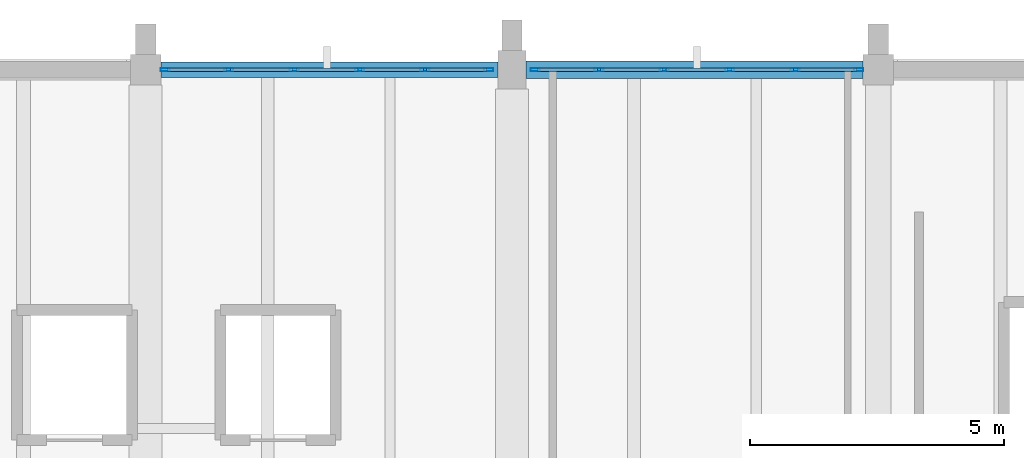
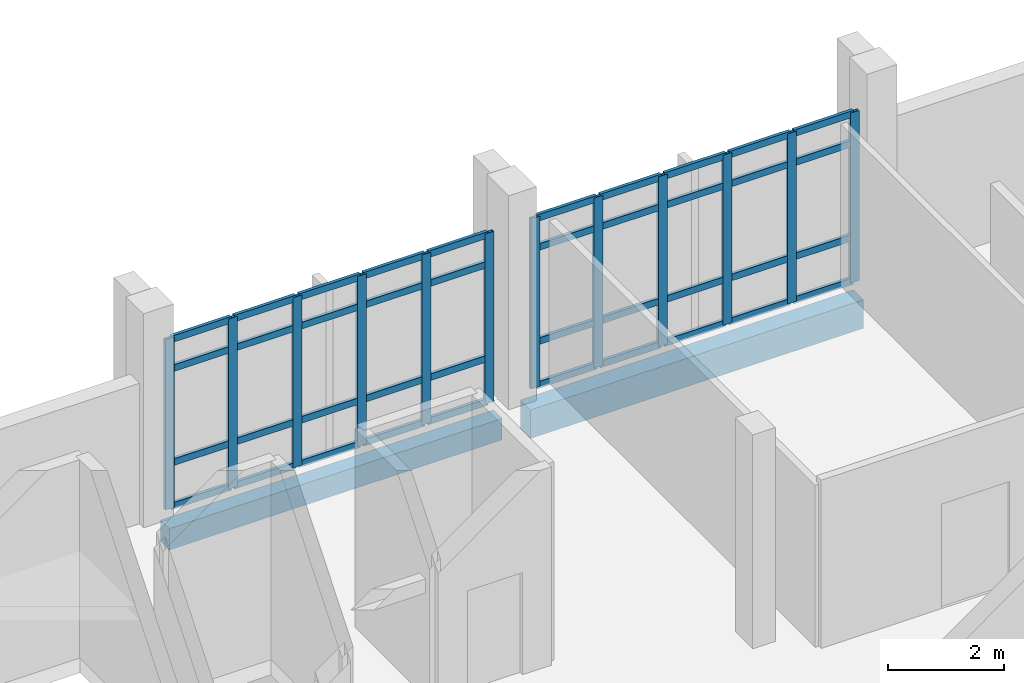
# One storey, part 16 of 41: 52 members, 2 beams, 2 elements without a shape of their own.
"""IFC4 building model written with IfcOpenShell, lengths in metres."""

from ifc_helpers import new_model, si_unit, direction, frame, origin, origin_2d, place, context, subcontext, project, spatial, rectangle, hollow_rectangle, extrude, material, material_profile, profile_set, type_object, element, aggregate, save


model = new_model("IFC4")

# Units and contexts
model_context = context("Model", 3, precision=1e-05, world=origin(), true_north=direction((0.0, 1.0)))
body_context = subcontext(model_context, "Body", "Model", "MODEL_VIEW")
ifc_project = project(units=[si_unit("LENGTHUNIT", "METRE"), si_unit("AREAUNIT", "SQUARE_METRE"), si_unit("VOLUMEUNIT", "CUBIC_METRE"), si_unit("PLANEANGLEUNIT", "RADIAN"), si_unit("MASSUNIT", "GRAM", prefix="KILO")], contexts=[model_context])

# Site, building, storey
site_placement = place(None, origin())
site = spatial("IfcSite", under=ifc_project, at=site_placement, CompositionType="ELEMENT")
building_placement = place(site_placement, origin())
building = spatial("IfcBuilding", under=site, at=building_placement, Name="Kalluvel Institute of Natural Sciences", CompositionType="ELEMENT")
storey_placement = place(building_placement, frame((0.0, 0.0, 32.39990234375)))
storey = spatial("IfcBuildingStorey", under=building, at=storey_placement, Name="L07", CompositionType="ELEMENT", Elevation=32.39990234375)

# Curtain wall, members
ifc_material_1 = material(Name="Aluminium AW-6063 T6", Category="aluminium")
curtain_wall_type = type_object("IfcCurtainWallType", Name="CW-WET-45", PredefinedType="USERDEFINED", material=ifc_material_1)
curtain_wall_1_placement = place(storey_placement, origin())
curtain_wall_1 = element("IfcCurtainWall", 1, at=curtain_wall_1_placement, inside=storey, type_object=curtain_wall_type, Name="L07 Gothic lancet curtain wall CWA-L07-X432-Y1280", ObjectType="UNITISED LANCET FACADE", PredefinedType="USERDEFINED")
ifc_material_profile_1 = material_profile(ifc_material_1, hollow_rectangle(XDim=0.06494140625, YDim=0.179931640625, WallThickness=0.00439453125, at=origin_2d()), Name="CWM 65x180")
ifc_profile_set_1 = profile_set([ifc_material_profile_1], Name="Aluminium AW-6063 T6")
member_type_1 = type_object("IfcMemberType", Name="CWM-65x180", PredefinedType="MULLION", material=ifc_profile_set_1)
member_1_placement = place(storey_placement, frame((43.1826171875, 128.0, 0.0), z_axis=(0.0, 0.0, 1.0), x_axis=(0.0, 1.0, 0.0)))
member_1 = element("IfcMember", 2, at=member_1_placement, type_object=member_type_1, Name="CW-01 mullion 1", PredefinedType="MULLION", context=body_context, shape_type="SweptSolid", body=[
    extrude(hollow_rectangle(XDim=0.06494140625, YDim=0.179931640625, WallThickness=0.00439453125, at=origin_2d()), origin(), (0.0, 0.0, 1.0), 3.580078125),
])
member_2_placement = place(storey_placement, frame((44.43505859375, 128.0, 0.0), z_axis=(0.0, 0.0, 1.0), x_axis=(0.0, 1.0, 0.0)))
member_2 = element("IfcMember", 3, at=member_2_placement, type_object=member_type_1, Name="CW-01 mullion 2", PredefinedType="MULLION", context=body_context, shape_type="SweptSolid", body=[
    extrude(hollow_rectangle(XDim=0.06494140625, YDim=0.179931640625, WallThickness=0.00439453125, at=origin_2d()), origin(), (0.0, 0.0, 1.0), 3.580078125),
])
member_3_placement = place(storey_placement, frame((45.719970703125, 128.0, 0.0), z_axis=(0.0, 0.0, 1.0), x_axis=(0.0, 1.0, 0.0)))
member_3 = element("IfcMember", 4, at=member_3_placement, type_object=member_type_1, Name="CW-01 mullion 3", PredefinedType="MULLION", context=body_context, shape_type="SweptSolid", body=[
    extrude(hollow_rectangle(XDim=0.06494140625, YDim=0.179931640625, WallThickness=0.00439453125, at=origin_2d()), origin(), (0.0, 0.0, 1.0), 3.580078125),
])
member_4_placement = place(storey_placement, frame((47.0048828125, 128.0, 0.0), z_axis=(0.0, 0.0, 1.0), x_axis=(0.0, 1.0, 0.0)))
member_4 = element("IfcMember", 5, at=member_4_placement, type_object=member_type_1, Name="CW-01 mullion 4", PredefinedType="MULLION", context=body_context, shape_type="SweptSolid", body=[
    extrude(hollow_rectangle(XDim=0.06494140625, YDim=0.179931640625, WallThickness=0.00439453125, at=origin_2d()), origin(), (0.0, 0.0, 1.0), 3.580078125),
])
member_5_placement = place(storey_placement, frame((48.2900390625, 128.0, 0.0), z_axis=(0.0, 0.0, 1.0), x_axis=(0.0, 1.0, 0.0)))
member_5 = element("IfcMember", 6, at=member_5_placement, type_object=member_type_1, Name="CW-01 mullion 5", PredefinedType="MULLION", context=body_context, shape_type="SweptSolid", body=[
    extrude(hollow_rectangle(XDim=0.06494140625, YDim=0.179931640625, WallThickness=0.00439453125, at=origin_2d()), origin(), (0.0, 0.0, 1.0), 3.580078125),
])
member_6_placement = place(storey_placement, frame((49.54248046875, 128.0, 0.0), z_axis=(0.0, 0.0, 1.0), x_axis=(0.0, 1.0, 0.0)))
member_6 = element("IfcMember", 7, at=member_6_placement, type_object=member_type_1, Name="CW-01 mullion 6", PredefinedType="MULLION", context=body_context, shape_type="SweptSolid", body=[
    extrude(hollow_rectangle(XDim=0.06494140625, YDim=0.179931640625, WallThickness=0.00439453125, at=origin_2d()), origin(), (0.0, 0.0, 1.0), 3.580078125),
])

curtain_wall_2_placement = place(storey_placement, origin())
curtain_wall_2 = element("IfcCurtainWall", 8, at=curtain_wall_2_placement, inside=storey, type_object=curtain_wall_type, Name="L07 Gothic lancet curtain wall CWA-L07-X504-Y1280", ObjectType="UNITISED LANCET FACADE", PredefinedType="USERDEFINED")
member_7_placement = place(storey_placement, frame((50.45751953125, 128.0, 0.0), z_axis=(0.0, 0.0, 1.0), x_axis=(0.0, 1.0, 0.0)))
member_7 = element("IfcMember", 9, at=member_7_placement, type_object=member_type_1, Name="CW-01 mullion 1", PredefinedType="MULLION", context=body_context, shape_type="SweptSolid", body=[
    extrude(hollow_rectangle(XDim=0.06494140625, YDim=0.179931640625, WallThickness=0.00439453125, at=origin_2d()), origin(), (0.0, 0.0, 1.0), 3.580078125),
])
member_8_placement = place(storey_placement, frame((51.7099609375, 128.0, 0.0), z_axis=(0.0, 0.0, 1.0), x_axis=(0.0, 1.0, 0.0)))
member_8 = element("IfcMember", 10, at=member_8_placement, type_object=member_type_1, Name="CW-01 mullion 2", PredefinedType="MULLION", context=body_context, shape_type="SweptSolid", body=[
    extrude(hollow_rectangle(XDim=0.06494140625, YDim=0.179931640625, WallThickness=0.00439453125, at=origin_2d()), origin(), (0.0, 0.0, 1.0), 3.580078125),
])
member_9_placement = place(storey_placement, frame((52.9951171875, 128.0, 0.0), z_axis=(0.0, 0.0, 1.0), x_axis=(0.0, 1.0, 0.0)))
member_9 = element("IfcMember", 11, at=member_9_placement, type_object=member_type_1, Name="CW-01 mullion 3", PredefinedType="MULLION", context=body_context, shape_type="SweptSolid", body=[
    extrude(hollow_rectangle(XDim=0.06494140625, YDim=0.179931640625, WallThickness=0.00439453125, at=origin_2d()), origin(), (0.0, 0.0, 1.0), 3.580078125),
])
member_10_placement = place(storey_placement, frame((54.280029296875, 128.0, 0.0), z_axis=(0.0, 0.0, 1.0), x_axis=(0.0, 1.0, 0.0)))
member_10 = element("IfcMember", 12, at=member_10_placement, type_object=member_type_1, Name="CW-01 mullion 4", PredefinedType="MULLION", context=body_context, shape_type="SweptSolid", body=[
    extrude(hollow_rectangle(XDim=0.06494140625, YDim=0.179931640625, WallThickness=0.00439453125, at=origin_2d()), origin(), (0.0, 0.0, 1.0), 3.580078125),
])
member_11_placement = place(storey_placement, frame((55.56494140625, 128.0, 0.0), z_axis=(0.0, 0.0, 1.0), x_axis=(0.0, 1.0, 0.0)))
member_11 = element("IfcMember", 13, at=member_11_placement, type_object=member_type_1, Name="CW-01 mullion 5", PredefinedType="MULLION", context=body_context, shape_type="SweptSolid", body=[
    extrude(hollow_rectangle(XDim=0.06494140625, YDim=0.179931640625, WallThickness=0.00439453125, at=origin_2d()), origin(), (0.0, 0.0, 1.0), 3.580078125),
])
member_12_placement = place(storey_placement, frame((56.8173828125, 128.0, 0.0), z_axis=(0.0, 0.0, 1.0), x_axis=(0.0, 1.0, 0.0)))
member_12 = element("IfcMember", 14, at=member_12_placement, type_object=member_type_1, Name="CW-01 mullion 6", PredefinedType="MULLION", context=body_context, shape_type="SweptSolid", body=[
    extrude(hollow_rectangle(XDim=0.06494140625, YDim=0.179931640625, WallThickness=0.00439453125, at=origin_2d()), origin(), (0.0, 0.0, 1.0), 3.580078125),
])

# Member
ifc_material_profile_2 = material_profile(ifc_material_1, hollow_rectangle(XDim=0.06494140625, YDim=0.139892578125, WallThickness=0.00439453125, at=origin_2d()), Name="CWT 65x140")
ifc_profile_set_2 = profile_set([ifc_material_profile_2], Name="Aluminium AW-6063 T6")
member_type_2 = type_object("IfcMemberType", Name="CWT-65x140", PredefinedType="USERDEFINED", material=ifc_profile_set_2)
member_13_placement = place(storey_placement, frame((43.215087890625, 128.0, 0.03271484375), z_axis=(1.0, 0.0, 0.0), x_axis=(0.0, 1.0, 0.0)))
member_13 = element("IfcMember", 15, at=member_13_placement, type_object=member_type_2, Name="CW-01 transom 1.1", ObjectType="TRANSOM", PredefinedType="USERDEFINED", context=body_context, shape_type="SweptSolid", body=[
    extrude(hollow_rectangle(XDim=0.06494140625, YDim=0.139892578125, WallThickness=0.00439453125, at=origin_2d()), origin(), (0.0, 0.0, 1.0), 1.1875),
])

member_14_placement = place(storey_placement, frame((43.215087890625, 128.0, 0.9501953125), z_axis=(1.0, 0.0, 0.0), x_axis=(0.0, 1.0, 0.0)))
member_14 = element("IfcMember", 16, at=member_14_placement, type_object=member_type_2, Name="CW-01 transom 1.2", ObjectType="TRANSOM", PredefinedType="USERDEFINED", context=body_context, shape_type="SweptSolid", body=[
    extrude(hollow_rectangle(XDim=0.06494140625, YDim=0.139892578125, WallThickness=0.00439453125, at=origin_2d()), origin(), (0.0, 0.0, 1.0), 1.1875),
])

member_15_placement = place(storey_placement, frame((43.215087890625, 128.0, 2.93017578125), z_axis=(1.0, 0.0, 0.0), x_axis=(0.0, 1.0, 0.0)))
member_15 = element("IfcMember", 17, at=member_15_placement, type_object=member_type_2, Name="CW-01 transom 1.3", ObjectType="TRANSOM", PredefinedType="USERDEFINED", context=body_context, shape_type="SweptSolid", body=[
    extrude(hollow_rectangle(XDim=0.06494140625, YDim=0.139892578125, WallThickness=0.00439453125, at=origin_2d()), origin(), (0.0, 0.0, 1.0), 1.1875),
])

member_16_placement = place(storey_placement, frame((43.215087890625, 128.0, 3.547607421875), z_axis=(1.0, 0.0, 0.0), x_axis=(0.0, 1.0, 0.0)))
member_16 = element("IfcMember", 18, at=member_16_placement, type_object=member_type_2, Name="CW-01 transom 1.4", ObjectType="TRANSOM", PredefinedType="USERDEFINED", context=body_context, shape_type="SweptSolid", body=[
    extrude(hollow_rectangle(XDim=0.06494140625, YDim=0.139892578125, WallThickness=0.00439453125, at=origin_2d()), origin(), (0.0, 0.0, 1.0), 1.1875),
])

member_17_placement = place(storey_placement, frame((44.467529296875, 128.0, 0.03271484375), z_axis=(1.0, 0.0, 0.0), x_axis=(0.0, 1.0, 0.0)))
member_17 = element("IfcMember", 19, at=member_17_placement, type_object=member_type_2, Name="CW-01 transom 2.1", ObjectType="TRANSOM", PredefinedType="USERDEFINED", context=body_context, shape_type="SweptSolid", body=[
    extrude(hollow_rectangle(XDim=0.06494140625, YDim=0.139892578125, WallThickness=0.00439453125, at=origin_2d()), origin(), (0.0, 0.0, 1.0), 1.219970703125),
])

member_18_placement = place(storey_placement, frame((44.467529296875, 128.0, 0.9501953125), z_axis=(1.0, 0.0, 0.0), x_axis=(0.0, 1.0, 0.0)))
member_18 = element("IfcMember", 20, at=member_18_placement, type_object=member_type_2, Name="CW-01 transom 2.2", ObjectType="TRANSOM", PredefinedType="USERDEFINED", context=body_context, shape_type="SweptSolid", body=[
    extrude(hollow_rectangle(XDim=0.06494140625, YDim=0.139892578125, WallThickness=0.00439453125, at=origin_2d()), origin(), (0.0, 0.0, 1.0), 1.219970703125),
])

member_19_placement = place(storey_placement, frame((44.467529296875, 128.0, 2.93017578125), z_axis=(1.0, 0.0, 0.0), x_axis=(0.0, 1.0, 0.0)))
member_19 = element("IfcMember", 21, at=member_19_placement, type_object=member_type_2, Name="CW-01 transom 2.3", ObjectType="TRANSOM", PredefinedType="USERDEFINED", context=body_context, shape_type="SweptSolid", body=[
    extrude(hollow_rectangle(XDim=0.06494140625, YDim=0.139892578125, WallThickness=0.00439453125, at=origin_2d()), origin(), (0.0, 0.0, 1.0), 1.219970703125),
])

member_20_placement = place(storey_placement, frame((44.467529296875, 128.0, 3.547607421875), z_axis=(1.0, 0.0, 0.0), x_axis=(0.0, 1.0, 0.0)))
member_20 = element("IfcMember", 22, at=member_20_placement, type_object=member_type_2, Name="CW-01 transom 2.4", ObjectType="TRANSOM", PredefinedType="USERDEFINED", context=body_context, shape_type="SweptSolid", body=[
    extrude(hollow_rectangle(XDim=0.06494140625, YDim=0.139892578125, WallThickness=0.00439453125, at=origin_2d()), origin(), (0.0, 0.0, 1.0), 1.219970703125),
])

member_21_placement = place(storey_placement, frame((45.75244140625, 128.0, 0.03271484375), z_axis=(1.0, 0.0, 0.0), x_axis=(0.0, 1.0, 0.0)))
member_21 = element("IfcMember", 23, at=member_21_placement, type_object=member_type_2, Name="CW-01 transom 3.1", ObjectType="TRANSOM", PredefinedType="USERDEFINED", context=body_context, shape_type="SweptSolid", body=[
    extrude(hollow_rectangle(XDim=0.06494140625, YDim=0.139892578125, WallThickness=0.00439453125, at=origin_2d()), origin(), (0.0, 0.0, 1.0), 1.219970703125),
])

member_22_placement = place(storey_placement, frame((45.75244140625, 128.0, 0.9501953125), z_axis=(1.0, 0.0, 0.0), x_axis=(0.0, 1.0, 0.0)))
member_22 = element("IfcMember", 24, at=member_22_placement, type_object=member_type_2, Name="CW-01 transom 3.2", ObjectType="TRANSOM", PredefinedType="USERDEFINED", context=body_context, shape_type="SweptSolid", body=[
    extrude(hollow_rectangle(XDim=0.06494140625, YDim=0.139892578125, WallThickness=0.00439453125, at=origin_2d()), origin(), (0.0, 0.0, 1.0), 1.219970703125),
])

member_23_placement = place(storey_placement, frame((45.75244140625, 128.0, 2.93017578125), z_axis=(1.0, 0.0, 0.0), x_axis=(0.0, 1.0, 0.0)))
member_23 = element("IfcMember", 25, at=member_23_placement, type_object=member_type_2, Name="CW-01 transom 3.3", ObjectType="TRANSOM", PredefinedType="USERDEFINED", context=body_context, shape_type="SweptSolid", body=[
    extrude(hollow_rectangle(XDim=0.06494140625, YDim=0.139892578125, WallThickness=0.00439453125, at=origin_2d()), origin(), (0.0, 0.0, 1.0), 1.219970703125),
])

member_24_placement = place(storey_placement, frame((45.75244140625, 128.0, 3.547607421875), z_axis=(1.0, 0.0, 0.0), x_axis=(0.0, 1.0, 0.0)))
member_24 = element("IfcMember", 26, at=member_24_placement, type_object=member_type_2, Name="CW-01 transom 3.4", ObjectType="TRANSOM", PredefinedType="USERDEFINED", context=body_context, shape_type="SweptSolid", body=[
    extrude(hollow_rectangle(XDim=0.06494140625, YDim=0.139892578125, WallThickness=0.00439453125, at=origin_2d()), origin(), (0.0, 0.0, 1.0), 1.219970703125),
])

member_25_placement = place(storey_placement, frame((47.03759765625, 128.0, 0.03271484375), z_axis=(1.0, 0.0, 0.0), x_axis=(0.0, 1.0, 0.0)))
member_25 = element("IfcMember", 27, at=member_25_placement, type_object=member_type_2, Name="CW-01 transom 4.1", ObjectType="TRANSOM", PredefinedType="USERDEFINED", context=body_context, shape_type="SweptSolid", body=[
    extrude(hollow_rectangle(XDim=0.06494140625, YDim=0.139892578125, WallThickness=0.00439453125, at=origin_2d()), origin(), (0.0, 0.0, 1.0), 1.219970703125),
])

member_26_placement = place(storey_placement, frame((47.03759765625, 128.0, 0.9501953125), z_axis=(1.0, 0.0, 0.0), x_axis=(0.0, 1.0, 0.0)))
member_26 = element("IfcMember", 28, at=member_26_placement, type_object=member_type_2, Name="CW-01 transom 4.2", ObjectType="TRANSOM", PredefinedType="USERDEFINED", context=body_context, shape_type="SweptSolid", body=[
    extrude(hollow_rectangle(XDim=0.06494140625, YDim=0.139892578125, WallThickness=0.00439453125, at=origin_2d()), origin(), (0.0, 0.0, 1.0), 1.219970703125),
])

member_27_placement = place(storey_placement, frame((47.03759765625, 128.0, 2.93017578125), z_axis=(1.0, 0.0, 0.0), x_axis=(0.0, 1.0, 0.0)))
member_27 = element("IfcMember", 29, at=member_27_placement, type_object=member_type_2, Name="CW-01 transom 4.3", ObjectType="TRANSOM", PredefinedType="USERDEFINED", context=body_context, shape_type="SweptSolid", body=[
    extrude(hollow_rectangle(XDim=0.06494140625, YDim=0.139892578125, WallThickness=0.00439453125, at=origin_2d()), origin(), (0.0, 0.0, 1.0), 1.219970703125),
])

member_28_placement = place(storey_placement, frame((47.03759765625, 128.0, 3.547607421875), z_axis=(1.0, 0.0, 0.0), x_axis=(0.0, 1.0, 0.0)))
member_28 = element("IfcMember", 30, at=member_28_placement, type_object=member_type_2, Name="CW-01 transom 4.4", ObjectType="TRANSOM", PredefinedType="USERDEFINED", context=body_context, shape_type="SweptSolid", body=[
    extrude(hollow_rectangle(XDim=0.06494140625, YDim=0.139892578125, WallThickness=0.00439453125, at=origin_2d()), origin(), (0.0, 0.0, 1.0), 1.219970703125),
])

member_29_placement = place(storey_placement, frame((48.322509765625, 128.0, 0.03271484375), z_axis=(1.0, 0.0, 0.0), x_axis=(0.0, 1.0, 0.0)))
member_29 = element("IfcMember", 31, at=member_29_placement, type_object=member_type_2, Name="CW-01 transom 5.1", ObjectType="TRANSOM", PredefinedType="USERDEFINED", context=body_context, shape_type="SweptSolid", body=[
    extrude(hollow_rectangle(XDim=0.06494140625, YDim=0.139892578125, WallThickness=0.00439453125, at=origin_2d()), origin(), (0.0, 0.0, 1.0), 1.1875),
])

member_30_placement = place(storey_placement, frame((48.322509765625, 128.0, 0.9501953125), z_axis=(1.0, 0.0, 0.0), x_axis=(0.0, 1.0, 0.0)))
member_30 = element("IfcMember", 32, at=member_30_placement, type_object=member_type_2, Name="CW-01 transom 5.2", ObjectType="TRANSOM", PredefinedType="USERDEFINED", context=body_context, shape_type="SweptSolid", body=[
    extrude(hollow_rectangle(XDim=0.06494140625, YDim=0.139892578125, WallThickness=0.00439453125, at=origin_2d()), origin(), (0.0, 0.0, 1.0), 1.1875),
])

member_31_placement = place(storey_placement, frame((48.322509765625, 128.0, 2.93017578125), z_axis=(1.0, 0.0, 0.0), x_axis=(0.0, 1.0, 0.0)))
member_31 = element("IfcMember", 33, at=member_31_placement, type_object=member_type_2, Name="CW-01 transom 5.3", ObjectType="TRANSOM", PredefinedType="USERDEFINED", context=body_context, shape_type="SweptSolid", body=[
    extrude(hollow_rectangle(XDim=0.06494140625, YDim=0.139892578125, WallThickness=0.00439453125, at=origin_2d()), origin(), (0.0, 0.0, 1.0), 1.1875),
])

member_32_placement = place(storey_placement, frame((48.322509765625, 128.0, 3.547607421875), z_axis=(1.0, 0.0, 0.0), x_axis=(0.0, 1.0, 0.0)))
member_32 = element("IfcMember", 34, at=member_32_placement, type_object=member_type_2, Name="CW-01 transom 5.4", ObjectType="TRANSOM", PredefinedType="USERDEFINED", context=body_context, shape_type="SweptSolid", body=[
    extrude(hollow_rectangle(XDim=0.06494140625, YDim=0.139892578125, WallThickness=0.00439453125, at=origin_2d()), origin(), (0.0, 0.0, 1.0), 1.1875),
])

aggregate(curtain_wall_1, [member_1, member_2, member_3, member_4, member_5, member_6, member_13, member_14, member_15, member_16, member_17, member_18, member_19, member_20, member_21, member_22, member_23, member_24, member_25, member_26, member_27, member_28, member_29, member_30, member_31, member_32])

member_33_placement = place(storey_placement, frame((50.489990234375, 128.0, 0.03271484375), z_axis=(1.0, 0.0, 0.0), x_axis=(0.0, 1.0, 0.0)))
member_33 = element("IfcMember", 35, at=member_33_placement, type_object=member_type_2, Name="CW-01 transom 1.1", ObjectType="TRANSOM", PredefinedType="USERDEFINED", context=body_context, shape_type="SweptSolid", body=[
    extrude(hollow_rectangle(XDim=0.06494140625, YDim=0.139892578125, WallThickness=0.00439453125, at=origin_2d()), origin(), (0.0, 0.0, 1.0), 1.1875),
])

member_34_placement = place(storey_placement, frame((50.489990234375, 128.0, 0.9501953125), z_axis=(1.0, 0.0, 0.0), x_axis=(0.0, 1.0, 0.0)))
member_34 = element("IfcMember", 36, at=member_34_placement, type_object=member_type_2, Name="CW-01 transom 1.2", ObjectType="TRANSOM", PredefinedType="USERDEFINED", context=body_context, shape_type="SweptSolid", body=[
    extrude(hollow_rectangle(XDim=0.06494140625, YDim=0.139892578125, WallThickness=0.00439453125, at=origin_2d()), origin(), (0.0, 0.0, 1.0), 1.1875),
])

member_35_placement = place(storey_placement, frame((50.489990234375, 128.0, 2.93017578125), z_axis=(1.0, 0.0, 0.0), x_axis=(0.0, 1.0, 0.0)))
member_35 = element("IfcMember", 37, at=member_35_placement, type_object=member_type_2, Name="CW-01 transom 1.3", ObjectType="TRANSOM", PredefinedType="USERDEFINED", context=body_context, shape_type="SweptSolid", body=[
    extrude(hollow_rectangle(XDim=0.06494140625, YDim=0.139892578125, WallThickness=0.00439453125, at=origin_2d()), origin(), (0.0, 0.0, 1.0), 1.1875),
])

member_36_placement = place(storey_placement, frame((50.489990234375, 128.0, 3.547607421875), z_axis=(1.0, 0.0, 0.0), x_axis=(0.0, 1.0, 0.0)))
member_36 = element("IfcMember", 38, at=member_36_placement, type_object=member_type_2, Name="CW-01 transom 1.4", ObjectType="TRANSOM", PredefinedType="USERDEFINED", context=body_context, shape_type="SweptSolid", body=[
    extrude(hollow_rectangle(XDim=0.06494140625, YDim=0.139892578125, WallThickness=0.00439453125, at=origin_2d()), origin(), (0.0, 0.0, 1.0), 1.1875),
])

member_37_placement = place(storey_placement, frame((51.742431640625, 128.0, 0.03271484375), z_axis=(1.0, 0.0, 0.0), x_axis=(0.0, 1.0, 0.0)))
member_37 = element("IfcMember", 39, at=member_37_placement, type_object=member_type_2, Name="CW-01 transom 2.1", ObjectType="TRANSOM", PredefinedType="USERDEFINED", context=body_context, shape_type="SweptSolid", body=[
    extrude(hollow_rectangle(XDim=0.06494140625, YDim=0.139892578125, WallThickness=0.00439453125, at=origin_2d()), origin(), (0.0, 0.0, 1.0), 1.219970703125),
])

member_38_placement = place(storey_placement, frame((51.742431640625, 128.0, 0.9501953125), z_axis=(1.0, 0.0, 0.0), x_axis=(0.0, 1.0, 0.0)))
member_38 = element("IfcMember", 40, at=member_38_placement, type_object=member_type_2, Name="CW-01 transom 2.2", ObjectType="TRANSOM", PredefinedType="USERDEFINED", context=body_context, shape_type="SweptSolid", body=[
    extrude(hollow_rectangle(XDim=0.06494140625, YDim=0.139892578125, WallThickness=0.00439453125, at=origin_2d()), origin(), (0.0, 0.0, 1.0), 1.219970703125),
])

member_39_placement = place(storey_placement, frame((51.742431640625, 128.0, 2.93017578125), z_axis=(1.0, 0.0, 0.0), x_axis=(0.0, 1.0, 0.0)))
member_39 = element("IfcMember", 41, at=member_39_placement, type_object=member_type_2, Name="CW-01 transom 2.3", ObjectType="TRANSOM", PredefinedType="USERDEFINED", context=body_context, shape_type="SweptSolid", body=[
    extrude(hollow_rectangle(XDim=0.06494140625, YDim=0.139892578125, WallThickness=0.00439453125, at=origin_2d()), origin(), (0.0, 0.0, 1.0), 1.219970703125),
])

member_40_placement = place(storey_placement, frame((51.742431640625, 128.0, 3.547607421875), z_axis=(1.0, 0.0, 0.0), x_axis=(0.0, 1.0, 0.0)))
member_40 = element("IfcMember", 42, at=member_40_placement, type_object=member_type_2, Name="CW-01 transom 2.4", ObjectType="TRANSOM", PredefinedType="USERDEFINED", context=body_context, shape_type="SweptSolid", body=[
    extrude(hollow_rectangle(XDim=0.06494140625, YDim=0.139892578125, WallThickness=0.00439453125, at=origin_2d()), origin(), (0.0, 0.0, 1.0), 1.219970703125),
])

member_41_placement = place(storey_placement, frame((53.027587890625, 128.0, 0.03271484375), z_axis=(1.0, 0.0, 0.0), x_axis=(0.0, 1.0, 0.0)))
member_41 = element("IfcMember", 43, at=member_41_placement, type_object=member_type_2, Name="CW-01 transom 3.1", ObjectType="TRANSOM", PredefinedType="USERDEFINED", context=body_context, shape_type="SweptSolid", body=[
    extrude(hollow_rectangle(XDim=0.06494140625, YDim=0.139892578125, WallThickness=0.00439453125, at=origin_2d()), origin(), (0.0, 0.0, 1.0), 1.219970703125),
])

member_42_placement = place(storey_placement, frame((53.027587890625, 128.0, 0.9501953125), z_axis=(1.0, 0.0, 0.0), x_axis=(0.0, 1.0, 0.0)))
member_42 = element("IfcMember", 44, at=member_42_placement, type_object=member_type_2, Name="CW-01 transom 3.2", ObjectType="TRANSOM", PredefinedType="USERDEFINED", context=body_context, shape_type="SweptSolid", body=[
    extrude(hollow_rectangle(XDim=0.06494140625, YDim=0.139892578125, WallThickness=0.00439453125, at=origin_2d()), origin(), (0.0, 0.0, 1.0), 1.219970703125),
])

member_43_placement = place(storey_placement, frame((53.027587890625, 128.0, 2.93017578125), z_axis=(1.0, 0.0, 0.0), x_axis=(0.0, 1.0, 0.0)))
member_43 = element("IfcMember", 45, at=member_43_placement, type_object=member_type_2, Name="CW-01 transom 3.3", ObjectType="TRANSOM", PredefinedType="USERDEFINED", context=body_context, shape_type="SweptSolid", body=[
    extrude(hollow_rectangle(XDim=0.06494140625, YDim=0.139892578125, WallThickness=0.00439453125, at=origin_2d()), origin(), (0.0, 0.0, 1.0), 1.219970703125),
])

member_44_placement = place(storey_placement, frame((53.027587890625, 128.0, 3.547607421875), z_axis=(1.0, 0.0, 0.0), x_axis=(0.0, 1.0, 0.0)))
member_44 = element("IfcMember", 46, at=member_44_placement, type_object=member_type_2, Name="CW-01 transom 3.4", ObjectType="TRANSOM", PredefinedType="USERDEFINED", context=body_context, shape_type="SweptSolid", body=[
    extrude(hollow_rectangle(XDim=0.06494140625, YDim=0.139892578125, WallThickness=0.00439453125, at=origin_2d()), origin(), (0.0, 0.0, 1.0), 1.219970703125),
])

member_45_placement = place(storey_placement, frame((54.3125, 128.0, 0.03271484375), z_axis=(1.0, 0.0, 0.0), x_axis=(0.0, 1.0, 0.0)))
member_45 = element("IfcMember", 47, at=member_45_placement, type_object=member_type_2, Name="CW-01 transom 4.1", ObjectType="TRANSOM", PredefinedType="USERDEFINED", context=body_context, shape_type="SweptSolid", body=[
    extrude(hollow_rectangle(XDim=0.06494140625, YDim=0.139892578125, WallThickness=0.00439453125, at=origin_2d()), origin(), (0.0, 0.0, 1.0), 1.219970703125),
])

member_46_placement = place(storey_placement, frame((54.3125, 128.0, 0.9501953125), z_axis=(1.0, 0.0, 0.0), x_axis=(0.0, 1.0, 0.0)))
member_46 = element("IfcMember", 48, at=member_46_placement, type_object=member_type_2, Name="CW-01 transom 4.2", ObjectType="TRANSOM", PredefinedType="USERDEFINED", context=body_context, shape_type="SweptSolid", body=[
    extrude(hollow_rectangle(XDim=0.06494140625, YDim=0.139892578125, WallThickness=0.00439453125, at=origin_2d()), origin(), (0.0, 0.0, 1.0), 1.219970703125),
])

member_47_placement = place(storey_placement, frame((54.3125, 128.0, 2.93017578125), z_axis=(1.0, 0.0, 0.0), x_axis=(0.0, 1.0, 0.0)))
member_47 = element("IfcMember", 49, at=member_47_placement, type_object=member_type_2, Name="CW-01 transom 4.3", ObjectType="TRANSOM", PredefinedType="USERDEFINED", context=body_context, shape_type="SweptSolid", body=[
    extrude(hollow_rectangle(XDim=0.06494140625, YDim=0.139892578125, WallThickness=0.00439453125, at=origin_2d()), origin(), (0.0, 0.0, 1.0), 1.219970703125),
])

member_48_placement = place(storey_placement, frame((54.3125, 128.0, 3.547607421875), z_axis=(1.0, 0.0, 0.0), x_axis=(0.0, 1.0, 0.0)))
member_48 = element("IfcMember", 50, at=member_48_placement, type_object=member_type_2, Name="CW-01 transom 4.4", ObjectType="TRANSOM", PredefinedType="USERDEFINED", context=body_context, shape_type="SweptSolid", body=[
    extrude(hollow_rectangle(XDim=0.06494140625, YDim=0.139892578125, WallThickness=0.00439453125, at=origin_2d()), origin(), (0.0, 0.0, 1.0), 1.219970703125),
])

member_49_placement = place(storey_placement, frame((55.597412109375, 128.0, 0.03271484375), z_axis=(1.0, 0.0, 0.0), x_axis=(0.0, 1.0, 0.0)))
member_49 = element("IfcMember", 51, at=member_49_placement, type_object=member_type_2, Name="CW-01 transom 5.1", ObjectType="TRANSOM", PredefinedType="USERDEFINED", context=body_context, shape_type="SweptSolid", body=[
    extrude(hollow_rectangle(XDim=0.06494140625, YDim=0.139892578125, WallThickness=0.00439453125, at=origin_2d()), origin(), (0.0, 0.0, 1.0), 1.1875),
])

member_50_placement = place(storey_placement, frame((55.597412109375, 128.0, 0.9501953125), z_axis=(1.0, 0.0, 0.0), x_axis=(0.0, 1.0, 0.0)))
member_50 = element("IfcMember", 52, at=member_50_placement, type_object=member_type_2, Name="CW-01 transom 5.2", ObjectType="TRANSOM", PredefinedType="USERDEFINED", context=body_context, shape_type="SweptSolid", body=[
    extrude(hollow_rectangle(XDim=0.06494140625, YDim=0.139892578125, WallThickness=0.00439453125, at=origin_2d()), origin(), (0.0, 0.0, 1.0), 1.1875),
])

member_51_placement = place(storey_placement, frame((55.597412109375, 128.0, 2.93017578125), z_axis=(1.0, 0.0, 0.0), x_axis=(0.0, 1.0, 0.0)))
member_51 = element("IfcMember", 53, at=member_51_placement, type_object=member_type_2, Name="CW-01 transom 5.3", ObjectType="TRANSOM", PredefinedType="USERDEFINED", context=body_context, shape_type="SweptSolid", body=[
    extrude(hollow_rectangle(XDim=0.06494140625, YDim=0.139892578125, WallThickness=0.00439453125, at=origin_2d()), origin(), (0.0, 0.0, 1.0), 1.1875),
])

member_52_placement = place(storey_placement, frame((55.597412109375, 128.0, 3.547607421875), z_axis=(1.0, 0.0, 0.0), x_axis=(0.0, 1.0, 0.0)))
member_52 = element("IfcMember", 54, at=member_52_placement, type_object=member_type_2, Name="CW-01 transom 5.4", ObjectType="TRANSOM", PredefinedType="USERDEFINED", context=body_context, shape_type="SweptSolid", body=[
    extrude(hollow_rectangle(XDim=0.06494140625, YDim=0.139892578125, WallThickness=0.00439453125, at=origin_2d()), origin(), (0.0, 0.0, 1.0), 1.1875),
])

aggregate(curtain_wall_2, [member_7, member_8, member_9, member_10, member_11, member_12, member_33, member_34, member_35, member_36, member_37, member_38, member_39, member_40, member_41, member_42, member_43, member_44, member_45, member_46, member_47, member_48, member_49, member_50, member_51, member_52])

# Beams
ifc_material_2 = material(Name="Concrete M40", Category="concrete")
ifc_material_profile_3 = material_profile(ifc_material_2, rectangle(XDim=0.300048828125, YDim=0.449951171875, at=origin_2d()), Name="RCB 300x450")
ifc_profile_set_3 = profile_set([ifc_material_profile_3], Name="Concrete M40")
beam_type_1 = type_object("IfcBeamType", Name="SP-RC300x450", PredefinedType="SPANDREL", material=ifc_profile_set_3)
beam_1_placement = place(storey_placement, frame((43.10009765625, 128.0, -0.544921875), z_axis=(1.0, 0.0, 0.0), x_axis=(0.0, 1.0, 0.0)))
element("IfcBeam", 55, at=beam_1_placement, inside=storey, type_object=beam_type_1, Name="L07 girder GIR-L07-EW-X428-Y1280", PredefinedType="SPANDREL", context=body_context, shape_type="SweptSolid", body=[
    extrude(rectangle(XDim=0.300048828125, YDim=0.449951171875, at=origin_2d()), origin(), (0.0, 0.0, 1.0), 6.625),
])
ifc_material_profile_4 = material_profile(ifc_material_2, rectangle(XDim=0.35009765625, YDim=0.60009765625, at=origin_2d()), Name="RCB 350x600")
ifc_profile_set_4 = profile_set([ifc_material_profile_4], Name="Concrete M40")
beam_type_2 = type_object("IfcBeamType", Name="SP-RC350x600", PredefinedType="SPANDREL", material=ifc_profile_set_4)
beam_2_placement = place(storey_placement, frame((50.27490234375, 128.0, -0.619873046875), z_axis=(1.0, 0.0, 0.0), x_axis=(0.0, 1.0, 0.0)))
element("IfcBeam", 56, at=beam_2_placement, inside=storey, type_object=beam_type_2, Name="L07 girder GIR-L07-EW-X500-Y1280", PredefinedType="SPANDREL", context=body_context, shape_type="SweptSolid", body=[
    extrude(rectangle(XDim=0.35009765625, YDim=0.60009765625, at=origin_2d()), origin(), (0.0, 0.0, 1.0), 6.625),
])

save(model, "model.ifc")
